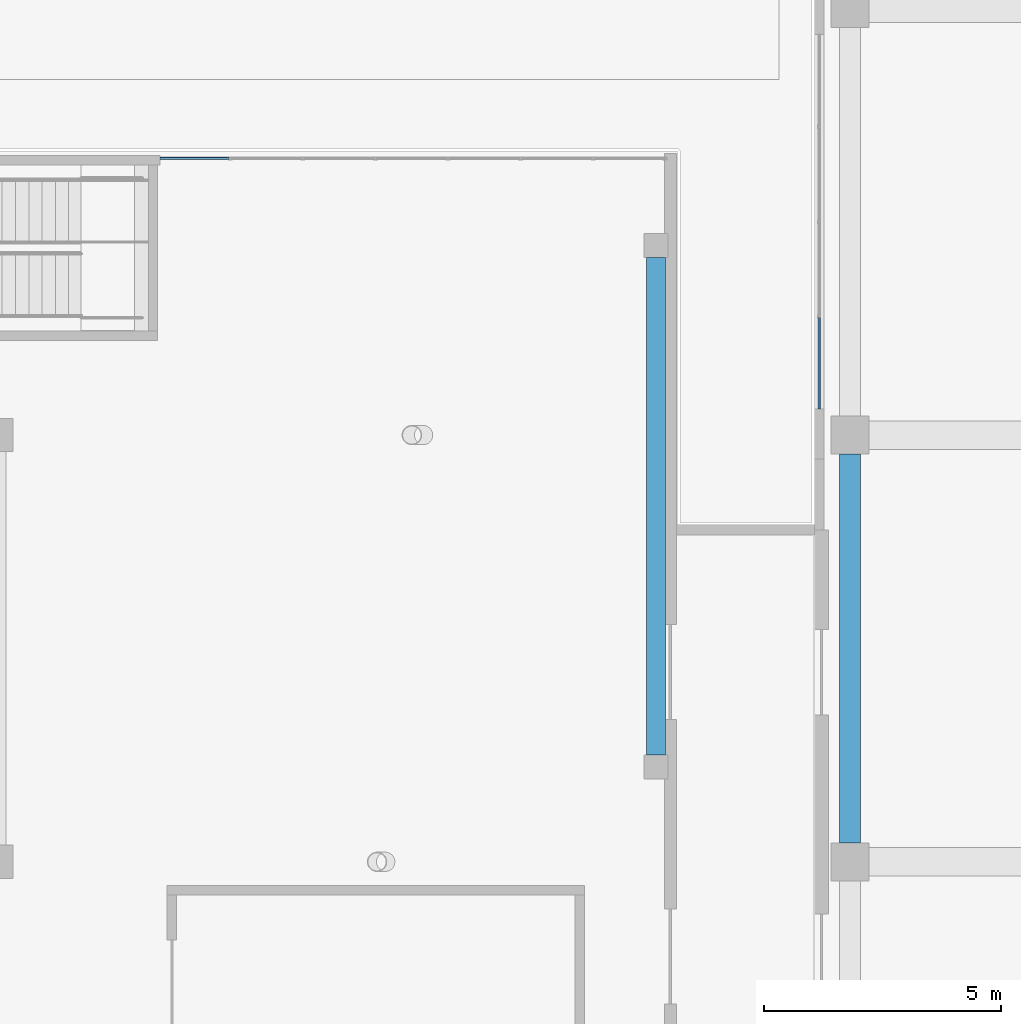
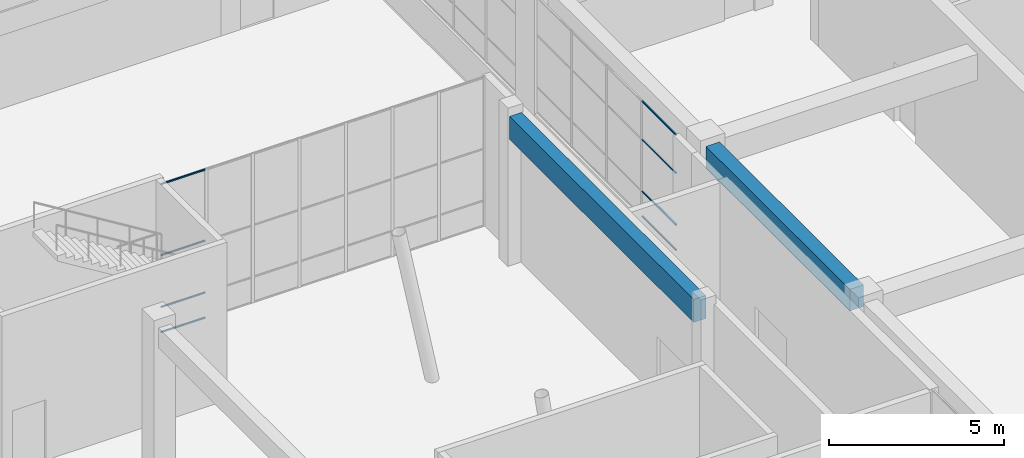
# One storey, part 23 of 72: 8 members, 2 beams, 2 elements without a shape of their own.
"""IFC4 building model written with IfcOpenShell, lengths in metres."""

from ifc_helpers import new_model, si_unit, direction, frame, origin, origin_2d, place, context, subcontext, project, spatial, rectangle, hollow_rectangle, extrude, material, layer, layer_set, material_profile, profile_set, type_object, element, aggregate, save


model = new_model("IFC4")

# Units and contexts
model_context = context("Model", 3, precision=1e-05, world=origin(), true_north=direction((0.0, 1.0)))
body_context = subcontext(model_context, "Body", "Model", "MODEL_VIEW")
ifc_project = project(units=[si_unit("LENGTHUNIT", "METRE"), si_unit("AREAUNIT", "SQUARE_METRE"), si_unit("VOLUMEUNIT", "CUBIC_METRE"), si_unit("PLANEANGLEUNIT", "RADIAN"), si_unit("MASSUNIT", "GRAM", prefix="KILO")], contexts=[model_context])

# Site, building, storey
site_placement = place(None, origin())
site = spatial("IfcSite", under=ifc_project, at=site_placement, CompositionType="ELEMENT")
building_placement = place(site_placement, origin())
building = spatial("IfcBuilding", under=site, at=building_placement, Name="Tuart Plaza Theatre", CompositionType="ELEMENT")
storey_placement = place(building_placement, origin())
storey = spatial("IfcBuildingStorey", under=building, at=storey_placement, Name="L00", CompositionType="ELEMENT", Elevation=0.0)

# Beams
ifc_material_1 = material(Name="Concrete N40 (40 MPa)", Category="concrete")
ifc_material_profile_1 = material_profile(ifc_material_1, rectangle(XDim=0.39990234375, YDim=0.800048828125, at=origin_2d()), Name="BEAM 400x800 Concrete N40 (40 MPa)")
ifc_profile_set_1 = profile_set([ifc_material_profile_1], Name="Concrete N40 (40 MPa)")
beam_type_1 = type_object("IfcBeamType", Name="BEAM 400x800 Concrete N40 (40 MPa)", PredefinedType="BEAM", material=ifc_profile_set_1)
beam_1_placement = place(storey_placement, frame((109.909912109375, 77.75, 4.800048828125), z_axis=(0.0, -1.0, 0.0), x_axis=(1.0, 0.0, 0.0)))
element("IfcBeam", 1, at=beam_1_placement, inside=storey, type_object=beam_type_1, Name="RB447", PredefinedType="BEAM", context=body_context, shape_type="SweptSolid", body=[
    extrude(rectangle(XDim=0.39990234375, YDim=0.800048828125, at=origin_2d()), origin(), (0.0, 0.0, 1.0), 10.5),
])
ifc_material_2 = material(Name="Concrete N40 (40 MPa)", Category="concrete")
ifc_material_profile_2 = material_profile(ifc_material_2, rectangle(XDim=0.449951171875, YDim=0.75, at=origin_2d()), Name="BEAM 450x750 Concrete N40 (40 MPa)")
ifc_profile_set_2 = profile_set([ifc_material_profile_2], Name="Concrete N40 (40 MPa)")
beam_type_2 = type_object("IfcBeamType", Name="BEAM 450x750 Concrete N40 (40 MPa)", PredefinedType="BEAM", material=ifc_profile_set_2)
beam_2_placement = place(storey_placement, frame((114.0, 65.39990234375, 4.875), z_axis=(0.0, 1.0, 0.0), x_axis=(-1.0, 0.0, 0.0)))
element("IfcBeam", 2, at=beam_2_placement, inside=storey, type_object=beam_type_2, Name="RB124", PredefinedType="BEAM", context=body_context, shape_type="SweptSolid", body=[
    extrude(rectangle(XDim=0.449951171875, YDim=0.75, at=origin_2d()), origin(), (0.0, 0.0, 1.0), 8.2001953125),
])

# Curtain wall, members
ifc_material_3 = material(Name="Aluminium and glass", Category="aluminium")
ifc_layer_1 = layer(ifc_material_3, 0.10009765625)
ifc_layer_set_1 = layer_set([ifc_layer_1], Name="CURTAIN WALL 1500 module")
curtain_wall_type_1 = type_object("IfcCurtainWallType", Name="CURTAIN WALL 1500 module", PredefinedType="NOTDEFINED", material=ifc_layer_set_1)
curtain_wall_1_placement = place(storey_placement, origin())
curtain_wall_1 = element("IfcCurtainWall", 3, at=curtain_wall_1_placement, inside=storey, type_object=curtain_wall_type_1, Name="CW12", PredefinedType="NOTDEFINED")
ifc_material_4 = material(Name="Aluminium 6063-T5", Category="aluminium")
ifc_material_profile_3 = material_profile(ifc_material_4, hollow_rectangle(XDim=0.050048828125, YDim=0.050048828125, WallThickness=0.00390625, InnerFilletRadius=0.00390625, OuterFilletRadius=0.008056640625, at=origin_2d()), Name="RHS 50x50x4")
ifc_profile_set_3 = profile_set([ifc_material_profile_3], Name="Aluminium 6063-T5")
member_type = type_object("IfcMemberType", Name="TRANSOM RHS 50x50x4", PredefinedType="USERDEFINED", material=ifc_profile_set_3)
member_1_placement = place(storey_placement, frame((99.449951171875, 79.8369140625, 0.02490234375), z_axis=(1.0, 0.0, 0.0), x_axis=(0.0, 1.0, 0.0)))
member_1 = element("IfcMember", 4, at=member_1_placement, type_object=member_type, Name="CW12 transom 1.1", ObjectType="TRANSOM", PredefinedType="USERDEFINED", context=body_context, shape_type="SweptSolid", body=[
    extrude(hollow_rectangle(XDim=0.050048828125, YDim=0.050048828125, WallThickness=0.00390625, InnerFilletRadius=0.00390625, OuterFilletRadius=0.008056640625, at=origin_2d()), origin(), (0.0, 0.0, 1.0), 1.45556640625),
])
member_2_placement = place(storey_placement, frame((99.449951171875, 79.8369140625, 0.89990234375), z_axis=(1.0, 0.0, 0.0), x_axis=(0.0, 1.0, 0.0)))
member_2 = element("IfcMember", 5, at=member_2_placement, type_object=member_type, Name="CW12 transom 1.2", ObjectType="TRANSOM", PredefinedType="USERDEFINED", context=body_context, shape_type="SweptSolid", body=[
    extrude(hollow_rectangle(XDim=0.050048828125, YDim=0.050048828125, WallThickness=0.00390625, InnerFilletRadius=0.00390625, OuterFilletRadius=0.008056640625, at=origin_2d()), origin(), (0.0, 0.0, 1.0), 1.45556640625),
])
member_3_placement = place(storey_placement, frame((99.449951171875, 79.8369140625, 2.699951171875), z_axis=(1.0, 0.0, 0.0), x_axis=(0.0, 1.0, 0.0)))
member_3 = element("IfcMember", 6, at=member_3_placement, type_object=member_type, Name="CW12 transom 1.3", ObjectType="TRANSOM", PredefinedType="USERDEFINED", context=body_context, shape_type="SweptSolid", body=[
    extrude(hollow_rectangle(XDim=0.050048828125, YDim=0.050048828125, WallThickness=0.00390625, InnerFilletRadius=0.00390625, OuterFilletRadius=0.008056640625, at=origin_2d()), origin(), (0.0, 0.0, 1.0), 1.45556640625),
])
member_4_placement = place(storey_placement, frame((99.449951171875, 79.8369140625, 5.175048828125), z_axis=(1.0, 0.0, 0.0), x_axis=(0.0, 1.0, 0.0)))
member_4 = element("IfcMember", 7, at=member_4_placement, type_object=member_type, Name="CW12 transom 1.4", ObjectType="TRANSOM", PredefinedType="USERDEFINED", context=body_context, shape_type="SweptSolid", body=[
    extrude(hollow_rectangle(XDim=0.050048828125, YDim=0.050048828125, WallThickness=0.00390625, InnerFilletRadius=0.00390625, OuterFilletRadius=0.008056640625, at=origin_2d()), origin(), (0.0, 0.0, 1.0), 1.45556640625),
])
aggregate(curtain_wall_1, [member_1, member_2, member_3, member_4])

ifc_material_5 = material(Name="Aluminium and glass", Category="aluminium")
ifc_layer_2 = layer(ifc_material_5, 0.10009765625)
ifc_layer_set_2 = layer_set([ifc_layer_2], Name="CURTAIN WALL 2000 module")
curtain_wall_type_2 = type_object("IfcCurtainWallType", Name="CURTAIN WALL 2000 module", PredefinedType="NOTDEFINED", material=ifc_layer_set_2)
curtain_wall_2_placement = place(storey_placement, origin())
curtain_wall_2 = element("IfcCurtainWall", 8, at=curtain_wall_2_placement, inside=storey, type_object=curtain_wall_type_2, Name="CW58", PredefinedType="NOTDEFINED")
member_5_placement = place(storey_placement, frame((113.35009765625, 76.47509765625, 1.22509765625), z_axis=(0.0, -1.0, 0.0), x_axis=(1.0, 0.0, 0.0)))
member_5 = element("IfcMember", 9, at=member_5_placement, type_object=member_type, Name="CW58 transom 4.1", ObjectType="TRANSOM", PredefinedType="USERDEFINED", context=body_context, shape_type="SweptSolid", body=[
    extrude(hollow_rectangle(XDim=0.050048828125, YDim=0.050048828125, WallThickness=0.00390625, InnerFilletRadius=0.00390625, OuterFilletRadius=0.008056640625, at=origin_2d()), origin(), (0.0, 0.0, 1.0), 1.925048828125),
])
member_6_placement = place(storey_placement, frame((113.35009765625, 76.47509765625, 2.10009765625), z_axis=(0.0, -1.0, 0.0), x_axis=(1.0, 0.0, 0.0)))
member_6 = element("IfcMember", 10, at=member_6_placement, type_object=member_type, Name="CW58 transom 4.2", ObjectType="TRANSOM", PredefinedType="USERDEFINED", context=body_context, shape_type="SweptSolid", body=[
    extrude(hollow_rectangle(XDim=0.050048828125, YDim=0.050048828125, WallThickness=0.00390625, InnerFilletRadius=0.00390625, OuterFilletRadius=0.008056640625, at=origin_2d()), origin(), (0.0, 0.0, 1.0), 1.925048828125),
])
member_7_placement = place(storey_placement, frame((113.35009765625, 76.47509765625, 3.89990234375), z_axis=(0.0, -1.0, 0.0), x_axis=(1.0, 0.0, 0.0)))
member_7 = element("IfcMember", 11, at=member_7_placement, type_object=member_type, Name="CW58 transom 4.3", ObjectType="TRANSOM", PredefinedType="USERDEFINED", context=body_context, shape_type="SweptSolid", body=[
    extrude(hollow_rectangle(XDim=0.050048828125, YDim=0.050048828125, WallThickness=0.00390625, InnerFilletRadius=0.00390625, OuterFilletRadius=0.008056640625, at=origin_2d()), origin(), (0.0, 0.0, 1.0), 1.925048828125),
])
member_8_placement = place(storey_placement, frame((113.35009765625, 76.47509765625, 5.22509765625), z_axis=(0.0, -1.0, 0.0), x_axis=(1.0, 0.0, 0.0)))
member_8 = element("IfcMember", 12, at=member_8_placement, type_object=member_type, Name="CW58 transom 4.4", ObjectType="TRANSOM", PredefinedType="USERDEFINED", context=body_context, shape_type="SweptSolid", body=[
    extrude(hollow_rectangle(XDim=0.050048828125, YDim=0.050048828125, WallThickness=0.00390625, InnerFilletRadius=0.00390625, OuterFilletRadius=0.008056640625, at=origin_2d()), origin(), (0.0, 0.0, 1.0), 1.925048828125),
])
aggregate(curtain_wall_2, [member_5, member_6, member_7, member_8])

save(model, "model.ifc")
